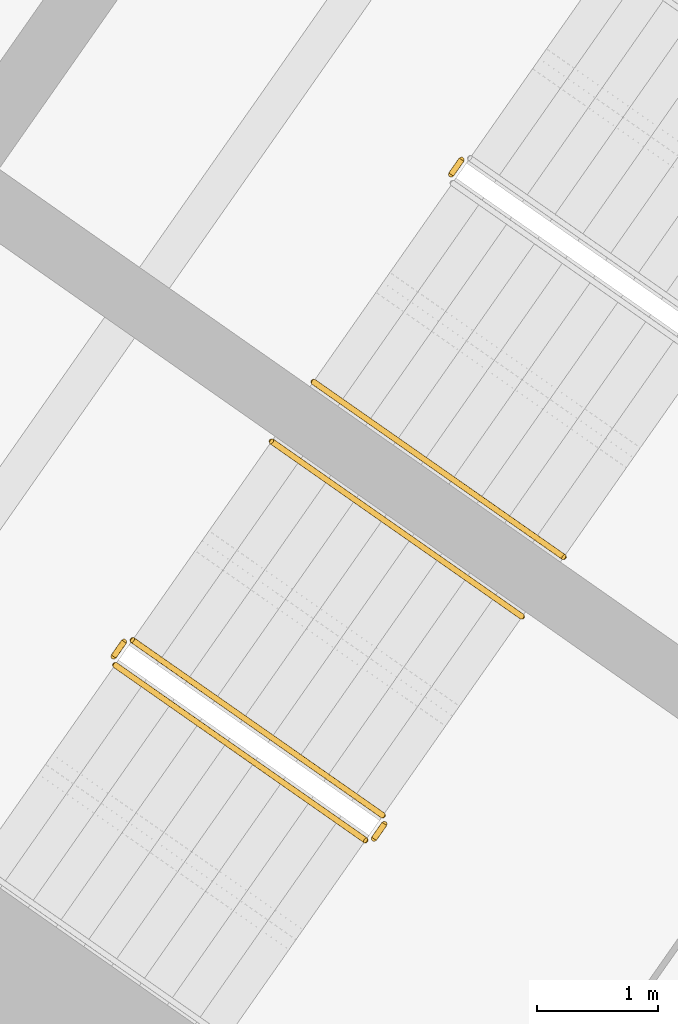
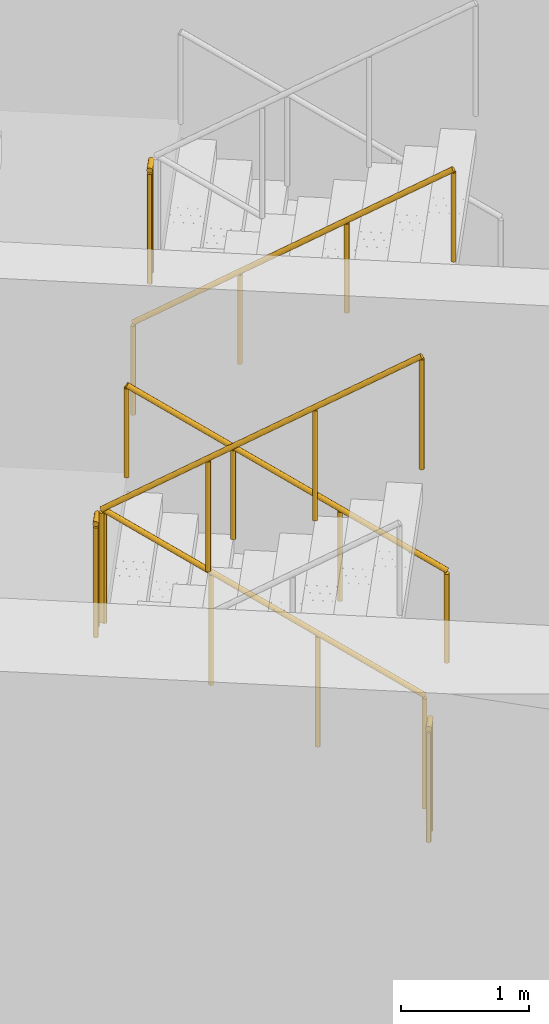
# One storey, part 21 of 23: 7 railings.
"""IFC4 building model written with IfcOpenShell, lengths in metres."""

from ifc_helpers import new_model, si_unit, direction, frame, origin, origin_2d, place, context, subcontext, project, spatial, circle, extrude, material, type_object, element, save


model = new_model("IFC4")

# Units and contexts
model_context = context("Model", 3, precision=1e-05, world=origin(), true_north=direction((0.0, 1.0)))
body_context = subcontext(model_context, "Body", "Model", "MODEL_VIEW")
ifc_project = project(units=[si_unit("LENGTHUNIT", "METRE"), si_unit("AREAUNIT", "SQUARE_METRE"), si_unit("VOLUMEUNIT", "CUBIC_METRE"), si_unit("PLANEANGLEUNIT", "RADIAN"), si_unit("MASSUNIT", "GRAM", prefix="KILO")], contexts=[model_context])

# Site, building, storey
site_placement = place(None, origin())
site = spatial("IfcSite", under=ifc_project, at=site_placement, CompositionType="ELEMENT")
building_placement = place(site_placement, origin())
building = spatial("IfcBuilding", under=site, at=building_placement, Name="Tel Ilan Convention Tower", CompositionType="ELEMENT")
storey_placement = place(building_placement, frame((0.0, 0.0, 115.699951171875)))
storey = spatial("IfcBuildingStorey", under=building, at=storey_placement, Name="L25", CompositionType="ELEMENT", Elevation=115.699951171875)

# Railings
ifc_material_1 = material(Name="Stainless Steel Grade 316", Category="steel")
railing_type_1 = type_object("IfcRailingType", Name="Stainless Steel Stair Guard 1100 mm", PredefinedType="GUARDRAIL", material=ifc_material_1)
railing_1_placement = place(storey_placement, frame((21.544921875, -6.41845703125, 1.800048828125)))
element("IfcRailing", 1, at=railing_1_placement, inside=storey, type_object=railing_type_1, Name="L25 S3 stair guard 2", PredefinedType="GUARDRAIL", context=body_context, shape_type="SweptSolid", body=[
    extrude(circle(Radius=0.02392578125, at=origin_2d()), frame((0.0, 0.0, 1.076171875), z_axis=(-0.573353020881, -0.819308436089, 0.0), x_axis=(0.819308436089, -0.573353020881, 0.0)), (0.0, 0.0, 1.0), 0.14990234375),
    extrude(circle(Radius=0.02099609375, at=origin_2d()), origin(), (0.0, 0.0, 1.0), 1.052001953125),
    extrude(circle(Radius=0.02099609375, at=origin_2d()), frame((-0.0859375, -0.122802734375, 0.0)), (0.0, 0.0, 1.0), 1.052001953125),
])
railing_2_placement = place(storey_placement, frame((20.89697265625, -11.824462890625, 0.179931640625)))
element("IfcRailing", 2, at=railing_2_placement, inside=storey, type_object=railing_type_1, Name="L25 S4 stair guard 1", PredefinedType="GUARDRAIL", context=body_context, shape_type="SweptSolid", body=[
    extrude(circle(Radius=0.02392578125, at=origin_2d()), frame((0.0, 0.0, 1.076171875), z_axis=(-0.689013013563, 0.482512838948, 0.540779462804), x_axis=(-0.573624882958, -0.819118119475, 0.0)), (0.0, 0.0, 1.0), 2.995849609375),
    extrude(circle(Radius=0.02099609375, at=origin_2d()), origin(), (0.0, 0.0, 1.0), 1.052001953125),
    extrude(circle(Radius=0.02099609375, at=origin_2d()), frame((-0.68798828125, 0.48193359375, 0.5400390625)), (0.0, 0.0, 1.0), 1.052001953125),
    extrude(circle(Radius=0.02099609375, at=origin_2d()), frame((-1.376220703125, 0.963623046875, 1.080078125)), (0.0, 0.0, 1.0), 1.052001953125),
    extrude(circle(Radius=0.02099609375, at=origin_2d()), frame((-2.064208984375, 1.445556640625, 1.6201171875)), (0.0, 0.0, 1.0), 1.052001953125),
])
railing_3_placement = place(storey_placement, frame((18.762939453125, -10.391357421875, 1.800048828125)))
element("IfcRailing", 3, at=railing_3_placement, inside=storey, type_object=railing_type_1, Name="L25 S4 stair guard 2", PredefinedType="GUARDRAIL", context=body_context, shape_type="SweptSolid", body=[
    extrude(circle(Radius=0.02392578125, at=origin_2d()), frame((0.0, 0.0, 1.076171875), z_axis=(-0.573353020881, -0.819308436089, 0.0), x_axis=(0.819308436089, -0.573353020881, 0.0)), (0.0, 0.0, 1.0), 0.14990234375),
    extrude(circle(Radius=0.02099609375, at=origin_2d()), origin(), (0.0, 0.0, 1.0), 1.052001953125),
    extrude(circle(Radius=0.02099609375, at=origin_2d()), frame((-0.0859375, -0.122802734375, 0.0)), (0.0, 0.0, 1.0), 1.052001953125),
])
railing_4_placement = place(storey_placement, frame((18.689208984375, -10.583740234375, 1.97998046875)))
element("IfcRailing", 4, at=railing_4_placement, inside=storey, type_object=railing_type_1, Name="L25 S4 stair guard 3", PredefinedType="GUARDRAIL", context=body_context, shape_type="SweptSolid", body=[
    extrude(circle(Radius=0.02392578125, at=origin_2d()), frame((0.0, 0.0, 1.076171875), z_axis=(0.689055814419, -0.482485747064, 0.540749099395), x_axis=(0.573579365141, 0.81914999352, 0.0)), (0.0, 0.0, 1.0), 2.99609375),
    extrude(circle(Radius=0.02099609375, at=origin_2d()), origin(), (0.0, 0.0, 1.0), 1.052001953125),
    extrude(circle(Radius=0.02099609375, at=origin_2d()), frame((0.688232421875, -0.48193359375, 0.5400390625)), (0.0, 0.0, 1.0), 1.052001953125),
    extrude(circle(Radius=0.02099609375, at=origin_2d()), frame((1.376220703125, -0.963623046875, 1.080078125)), (0.0, 0.0, 1.0), 1.052001953125),
    extrude(circle(Radius=0.02099609375, at=origin_2d()), frame((2.064453125, -1.445556640625, 1.6201171875)), (0.0, 0.0, 1.0), 1.052001953125),
])
railing_5_placement = place(storey_placement, frame((20.9091796875, -11.89404296875, 0.0)))
element("IfcRailing", 5, at=railing_5_placement, inside=storey, type_object=railing_type_1, Name="L25 S4 stair guard 4", PredefinedType="GUARDRAIL", context=body_context, shape_type="SweptSolid", body=[
    extrude(circle(Radius=0.02392578125, at=origin_2d()), frame((0.0, 0.0, 1.076171875), z_axis=(-0.573353020881, -0.819308436089, 0.0), x_axis=(0.819308436089, -0.573353020881, 0.0)), (0.0, 0.0, 1.0), 0.14990234375),
    extrude(circle(Radius=0.02099609375, at=origin_2d()), origin(), (0.0, 0.0, 1.0), 1.052001953125),
    extrude(circle(Radius=0.02099609375, at=origin_2d()), frame((-0.0859375, -0.122802734375, 0.0)), (0.0, 0.0, 1.0), 1.052001953125),
])
ifc_material_2 = material(Name="Stainless Steel Grade 316", Category="steel")
railing_type_2 = type_object("IfcRailingType", Name="Stainless Steel Stair Handrail 900 mm", PredefinedType="HANDRAIL", material=ifc_material_2)
railing_6_placement = place(storey_placement, frame((20.323974609375, -8.249267578125, 1.97998046875)))
element("IfcRailing", 6, at=railing_6_placement, inside=storey, type_object=railing_type_2, Name="L25 S3 stair handrail 2", PredefinedType="HANDRAIL", context=body_context, shape_type="SweptSolid", body=[
    extrude(circle(Radius=0.02392578125, at=origin_2d()), frame((0.0, 0.0, 0.8759765625), z_axis=(0.689040105437, -0.482450316285, 0.54080072616), x_axis=(0.573559875649, 0.819163639968, 0.0)), (0.0, 0.0, 1.0), 2.995849609375),
    extrude(circle(Radius=0.02099609375, at=origin_2d()), origin(), (0.0, 0.0, 1.0), 0.851806640625),
    extrude(circle(Radius=0.02099609375, at=origin_2d()), frame((0.68798828125, -0.481689453125, 0.5400390625)), (0.0, 0.0, 1.0), 0.851806640625),
    extrude(circle(Radius=0.02099609375, at=origin_2d()), frame((1.376220703125, -0.963623046875, 1.080078125)), (0.0, 0.0, 1.0), 0.851806640625),
    extrude(circle(Radius=0.02099609375, at=origin_2d()), frame((2.064208984375, -1.4453125, 1.6201171875)), (0.0, 0.0, 1.0), 0.851806640625),
])
railing_7_placement = place(storey_placement, frame((22.044189453125, -10.18603515625, 0.179931640625)))
element("IfcRailing", 7, at=railing_7_placement, inside=storey, type_object=railing_type_2, Name="L25 S4 stair handrail 1", PredefinedType="HANDRAIL", context=body_context, shape_type="SweptSolid", body=[
    extrude(circle(Radius=0.02392578125, at=origin_2d()), frame((0.0, 0.0, 0.8759765625), z_axis=(-0.689082904933, 0.482423225781, 0.540770359169), x_axis=(-0.573514357932, -0.81919550856, 0.0)), (0.0, 0.0, 1.0), 2.995849609375),
    extrude(circle(Radius=0.02099609375, at=origin_2d()), origin(), (0.0, 0.0, 1.0), 0.851806640625),
    extrude(circle(Radius=0.02099609375, at=origin_2d()), frame((-0.688232421875, 0.481689453125, 0.5400390625)), (0.0, 0.0, 1.0), 0.851806640625),
    extrude(circle(Radius=0.02099609375, at=origin_2d()), frame((-1.376220703125, 0.963623046875, 1.080078125)), (0.0, 0.0, 1.0), 0.851806640625),
    extrude(circle(Radius=0.02099609375, at=origin_2d()), frame((-2.064453125, 1.4453125, 1.6201171875)), (0.0, 0.0, 1.0), 0.851806640625),
])

save(model, "model.ifc")
